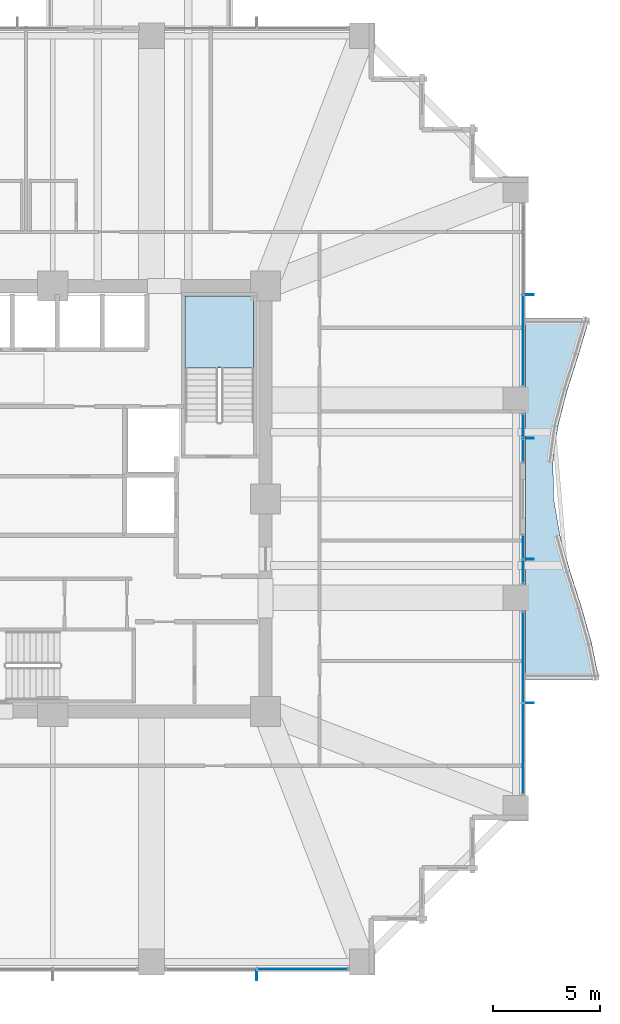
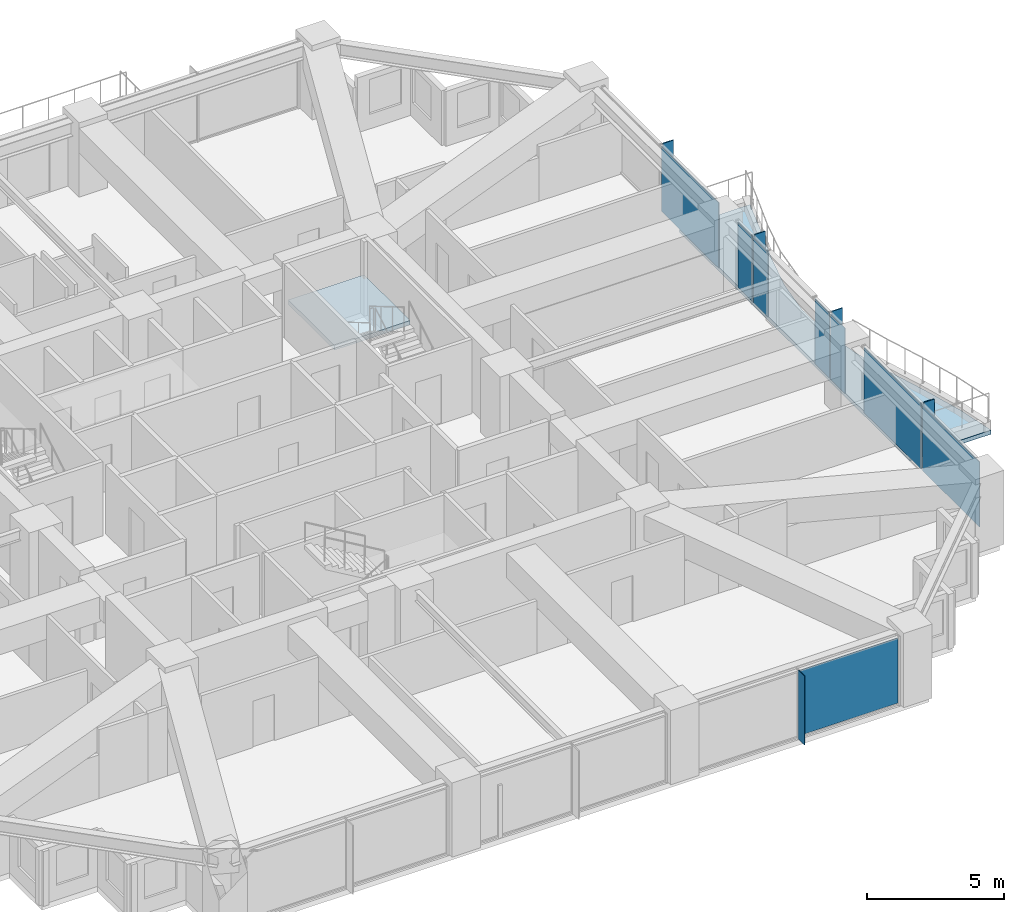
# One storey, part 30 of 39: 13 plates, 2 slabs, 6 elements without a shape of their own.
"""IFC4 building model written with IfcOpenShell, lengths in metres."""

from ifc_helpers import new_model, si_unit, direction, frame, origin, origin_2d, place, context, subcontext, project, spatial, polyline, rectangle, outline, extrude, material, layer, layer_set, type_object, element, aggregate, save


model = new_model("IFC4")

# Units and contexts
model_context = context("Model", 3, precision=1e-05, world=origin(), true_north=direction((0.0, 1.0)))
body_context = subcontext(model_context, "Body", "Model", "MODEL_VIEW")
ifc_project = project(units=[si_unit("LENGTHUNIT", "METRE"), si_unit("AREAUNIT", "SQUARE_METRE"), si_unit("VOLUMEUNIT", "CUBIC_METRE"), si_unit("PLANEANGLEUNIT", "RADIAN"), si_unit("MASSUNIT", "GRAM", prefix="KILO")], contexts=[model_context])

# Site, building, storey
site_placement = place(None, origin())
site = spatial("IfcSite", under=ifc_project, at=site_placement, CompositionType="ELEMENT")
building_placement = place(site_placement, origin())
building = spatial("IfcBuilding", under=site, at=building_placement, Name="Kolvaren Belvedere", CompositionType="ELEMENT")
storey_placement = place(building_placement, frame((0.0, 0.0, 33.699951171875)))
storey = spatial("IfcBuildingStorey", under=building, at=storey_placement, Name="L09", CompositionType="ELEMENT", Elevation=33.699951171875)

# Curtain wall, plate
ifc_material_1 = material(Name="Anodised pale-metal aluminium AA 6063-T6", Category="aluminium")
curtain_wall_type = type_object("IfcCurtainWallType", Name="CW-Z1-LOW", PredefinedType="NOTDEFINED", material=ifc_material_1)
curtain_wall_1_placement = place(storey_placement, origin())
curtain_wall_1 = element("IfcCurtainWall", 1, at=curtain_wall_1_placement, inside=storey, type_object=curtain_wall_type, Name="L09 Unitised Curtain Wall FCW-L09-S-B1", PredefinedType="NOTDEFINED")
ifc_material_2 = material(Name="Low-iron triple insulated glass", Category="glass")
ifc_layer_1 = layer(ifc_material_2, 0.028076171875)
ifc_layer_set_1 = layer_set([ifc_layer_1], Name="Low-iron triple insulated glass")
plate_type_1 = type_object("IfcPlateType", Name="CW-PNL-VIS28", PredefinedType="CURTAIN_PANEL", material=ifc_layer_set_1)
plate_1_placement = place(storey_placement, frame((11.62255859375, -21.8798828125, 0.080078125), z_axis=(0.0, 0.0, 1.0), x_axis=(-1.0, 0.0, 0.0)))
plate_1 = element("IfcPlate", 2, at=plate_1_placement, type_object=plate_type_1, Name="FCW-L09-S-B1 Vision Glazing Panel 1", PredefinedType="CURTAIN_PANEL", context=body_context, shape_type="SweptSolid", body=[
    extrude(rectangle(XDim=4.1650390625, YDim=0.028076171875, at=origin_2d()), origin(), (0.0, 0.0, 1.0), 2.89990234375),
])
aggregate(curtain_wall_1, [plate_1])

curtain_wall_2_placement = place(storey_placement, origin())
curtain_wall_2 = element("IfcCurtainWall", 3, at=curtain_wall_2_placement, inside=storey, type_object=curtain_wall_type, Name="L09 Unitised Curtain Wall FCW-L09-E1-B1", PredefinedType="NOTDEFINED")
plate_2_placement = place(storey_placement, frame((21.8798828125, 7.37744140625, 0.080078125), z_axis=(0.0, 0.0, 1.0), x_axis=(0.0, -1.0, 0.0)))
plate_2 = element("IfcPlate", 4, at=plate_2_placement, type_object=plate_type_1, Name="FCW-L09-E1-B1 Vision Glazing Panel 2", PredefinedType="CURTAIN_PANEL", context=body_context, shape_type="SweptSolid", body=[
    extrude(rectangle(XDim=4.1650390625, YDim=0.028076171875, at=origin_2d()), origin(), (0.0, 0.0, 1.0), 2.89990234375),
])
aggregate(curtain_wall_2, [plate_2])

# Curtain wall, plates
curtain_wall_3_placement = place(storey_placement, origin())
curtain_wall_3 = element("IfcCurtainWall", 5, at=curtain_wall_3_placement, inside=storey, type_object=curtain_wall_type, Name="L09 Unitised Curtain Wall FCW-L09-E1-B2", PredefinedType="NOTDEFINED")
plate_3_placement = place(storey_placement, frame((21.8798828125, 3.37890625, 0.080078125), z_axis=(0.0, 0.0, 1.0), x_axis=(0.0, -1.0, 0.0)))
plate_3 = element("IfcPlate", 6, at=plate_3_placement, type_object=plate_type_1, Name="FCW-L09-E1-B2 Vision Glazing Panel 1", PredefinedType="CURTAIN_PANEL", context=body_context, shape_type="SweptSolid", body=[
    extrude(rectangle(XDim=1.052490234375, YDim=0.028076171875, at=origin_2d()), origin(), (0.0, 0.0, 1.0), 2.89990234375),
])
plate_4_placement = place(storey_placement, frame((21.8798828125, 2.24609375, 0.080078125), z_axis=(0.0, 0.0, 1.0), x_axis=(0.0, -1.0, 0.0)))
plate_4 = element("IfcPlate", 7, at=plate_4_placement, type_object=plate_type_1, Name="FCW-L09-E1-B2 Vision Glazing Panel 2", PredefinedType="CURTAIN_PANEL", context=body_context, shape_type="SweptSolid", body=[
    extrude(rectangle(XDim=1.052490234375, YDim=0.028076171875, at=origin_2d()), origin(), (0.0, 0.0, 1.0), 2.89990234375),
])
aggregate(curtain_wall_3, [plate_3, plate_4])

curtain_wall_4_placement = place(storey_placement, origin())
curtain_wall_4 = element("IfcCurtainWall", 8, at=curtain_wall_4_placement, inside=storey, type_object=curtain_wall_type, Name="L09 Unitised Curtain Wall FCW-L09-E2-B1", PredefinedType="NOTDEFINED")
plate_5_placement = place(storey_placement, frame((21.8798828125, -2.24609375, 0.080078125), z_axis=(0.0, 0.0, 1.0), x_axis=(0.0, -1.0, 0.0)))
plate_5 = element("IfcPlate", 9, at=plate_5_placement, type_object=plate_type_1, Name="FCW-L09-E2-B1 Vision Glazing Panel 1", PredefinedType="CURTAIN_PANEL", context=body_context, shape_type="SweptSolid", body=[
    extrude(rectangle(XDim=1.052490234375, YDim=0.028076171875, at=origin_2d()), origin(), (0.0, 0.0, 1.0), 2.89990234375),
])
plate_6_placement = place(storey_placement, frame((21.8798828125, -3.378662109375, 0.080078125), z_axis=(0.0, 0.0, 1.0), x_axis=(0.0, -1.0, 0.0)))
plate_6 = element("IfcPlate", 10, at=plate_6_placement, type_object=plate_type_1, Name="FCW-L09-E2-B1 Vision Glazing Panel 2", PredefinedType="CURTAIN_PANEL", context=body_context, shape_type="SweptSolid", body=[
    extrude(rectangle(XDim=1.052490234375, YDim=0.028076171875, at=origin_2d()), origin(), (0.0, 0.0, 1.0), 2.89990234375),
])
aggregate(curtain_wall_4, [plate_5, plate_6])

curtain_wall_5_placement = place(storey_placement, origin())
curtain_wall_5 = element("IfcCurtainWall", 11, at=curtain_wall_5_placement, inside=storey, type_object=curtain_wall_type, Name="L09 Unitised Curtain Wall FCW-L09-E2-B2", PredefinedType="NOTDEFINED")
plate_7_placement = place(storey_placement, frame((21.8798828125, -7.37744140625, 0.080078125), z_axis=(0.0, 0.0, 1.0), x_axis=(0.0, -1.0, 0.0)))
plate_7 = element("IfcPlate", 12, at=plate_7_placement, type_object=plate_type_1, Name="FCW-L09-E2-B2 Vision Glazing Panel 1", PredefinedType="CURTAIN_PANEL", context=body_context, shape_type="SweptSolid", body=[
    extrude(rectangle(XDim=4.1650390625, YDim=0.028076171875, at=origin_2d()), origin(), (0.0, 0.0, 1.0), 2.89990234375),
])
plate_8_placement = place(storey_placement, frame((21.8798828125, -11.62255859375, 0.080078125), z_axis=(0.0, 0.0, 1.0), x_axis=(0.0, -1.0, 0.0)))
plate_8 = element("IfcPlate", 13, at=plate_8_placement, type_object=plate_type_1, Name="FCW-L09-E2-B2 Vision Glazing Panel 2", PredefinedType="CURTAIN_PANEL", context=body_context, shape_type="SweptSolid", body=[
    extrude(rectangle(XDim=4.1650390625, YDim=0.028076171875, at=origin_2d()), origin(), (0.0, 0.0, 1.0), 2.89990234375),
])
aggregate(curtain_wall_5, [plate_7, plate_8])

# Plates
ifc_material_3 = material(Name="Anodised pale-metal aluminium AA 6063-T6", Category="aluminium")
ifc_layer_2 = layer(ifc_material_3, 0.0380859375)
ifc_layer_set_2 = layer_set([ifc_layer_2], Name="Anodised pale-metal aluminium AA 6063-T6")
plate_type_2 = type_object("IfcPlateType", Name="FIN-VERT-450", PredefinedType="USERDEFINED", material=ifc_layer_set_2)
for number, where, z_axis, x_axis, name in (
    (14, (9.5, -22.1650390625, 0.0), (0.0, 0.0, 1.0), (0.0, 1.0, 0.0), "L09 Pale-Metal Vertical Shading Fin FCW-L09-S-B1-1"),
    (15, (22.1650390625, 9.5, 0.0), (0.0, 0.0, 1.0), (1.0, 0.0, 0.0), "L09 Pale-Metal Vertical Shading Fin FCW-L09-E1-B1-1"),
    (16, (22.1650390625, 2.8125, 0.0), (0.0, 0.0, 1.0), (1.0, 0.0, 0.0), "L09 Pale-Metal Vertical Shading Fin FCW-L09-E1-B2-1"),
    (17, (22.1650390625, -2.8125, 0.0), (0.0, 0.0, 1.0), (1.0, 0.0, 0.0), "L09 Pale-Metal Vertical Shading Fin FCW-L09-E2-B1-1"),
    (18, (22.1650390625, -9.5, 0.0), (0.0, 0.0, 1.0), (1.0, 0.0, 0.0), "L09 Pale-Metal Vertical Shading Fin FCW-L09-E2-B2-1"),
):
    element("IfcPlate", number, at=place(storey_placement, frame(where, z_axis=z_axis, x_axis=x_axis)), inside=storey, type_object=plate_type_2, Name=name, ObjectType="VERTICAL FIN", PredefinedType="USERDEFINED", context=body_context, shape_type="SweptSolid", body=[
        extrude(rectangle(XDim=0.449951171875, YDim=0.0380859375, at=origin_2d()), origin(), (0.0, 0.0, 1.0), 3.06005859375),
    ])

# Slab
ifc_material_4 = material(Name="Concrete C50/60", Category="concrete")
ifc_layer_3 = layer(ifc_material_4, 0.179931640625)
ifc_layer_set_3 = layer_set([ifc_layer_3], Name="Concrete C50/60")
slab_type_1 = type_object("IfcSlabType", Name="SL-BAL-180", PredefinedType="FLOOR", material=ifc_layer_set_3)
slab_1_placement = place(storey_placement, frame((0.0, 0.0, -0.239990234375)))
element("IfcSlab", 19, at=slab_1_placement, inside=storey, type_object=slab_type_1, Name="L09 Planted Balcony BAL-E", PredefinedType="FLOOR", context=body_context, shape_type="SweptSolid", body=[
    extrude(outline(polyline([(25.419921875, -8.39990234375), (25.079345703125, -6.719970703125), (24.608642578125, -5.0400390625), (24.0712890625, -3.360107421875), (23.6005859375, -1.679931640625), (23.31298828125, 0.0), (23.279052734375, 1.679931640625), (23.5078125, 3.360107421875), (23.9423828125, 5.0400390625), (24.475341796875, 6.719970703125), (24.974853515625, 8.39990234375), (22.0, 8.39990234375), (22.0, 6.719970703125), (22.0, 5.0400390625), (22.0, 3.360107421875), (22.0, 1.679931640625), (22.0, 0.0), (22.0, -1.679931640625), (22.0, -3.360107421875), (22.0, -5.0400390625), (22.0, -6.719970703125), (22.0, -8.39990234375), (25.419921875, -8.39990234375)])), origin(), (0.0, 0.0, 1.0), 0.179931640625),
])

# Stair, slab
ifc_material_5 = material(Name="Concrete C50/60", Category="concrete")
stair_type = type_object("IfcStairType", Name="ST-CORE-1520", PredefinedType="HALF_TURN_STAIR", material=ifc_material_5)
stair_placement = place(storey_placement, origin())
stair = element("IfcStair", 20, at=stair_placement, inside=storey, type_object=stair_type, Name="L09 Protected Exit Stair ST-2", PredefinedType="HALF_TURN_STAIR")
ifc_material_6 = material(Name="Concrete C50/60", Category="concrete")
ifc_layer_4 = layer(ifc_material_6, 0.260009765625)
ifc_layer_set_4 = layer_set([ifc_layer_4], Name="Concrete C50/60")
slab_type_2 = type_object("IfcSlabType", Name="SL-LAND-260", PredefinedType="LANDING", material=ifc_layer_set_4)
slab_2_placement = place(storey_placement, frame((0.0, 0.0, 1.449951171875)))
slab_2 = element("IfcSlab", 21, at=slab_2_placement, type_object=slab_type_2, Name="ST-2 landing 1", PredefinedType="LANDING", context=body_context, shape_type="SweptSolid", body=[
    extrude(outline(polyline([(9.35009765625, 6.090087890625), (9.35009765625, 9.449951171875), (6.159912109375, 9.449951171875), (6.159912109375, 6.090087890625), (9.35009765625, 6.090087890625)])), origin(), (0.0, 0.0, 1.0), 0.2001953125),
])
aggregate(stair, [slab_2])

save(model, "model.ifc")
